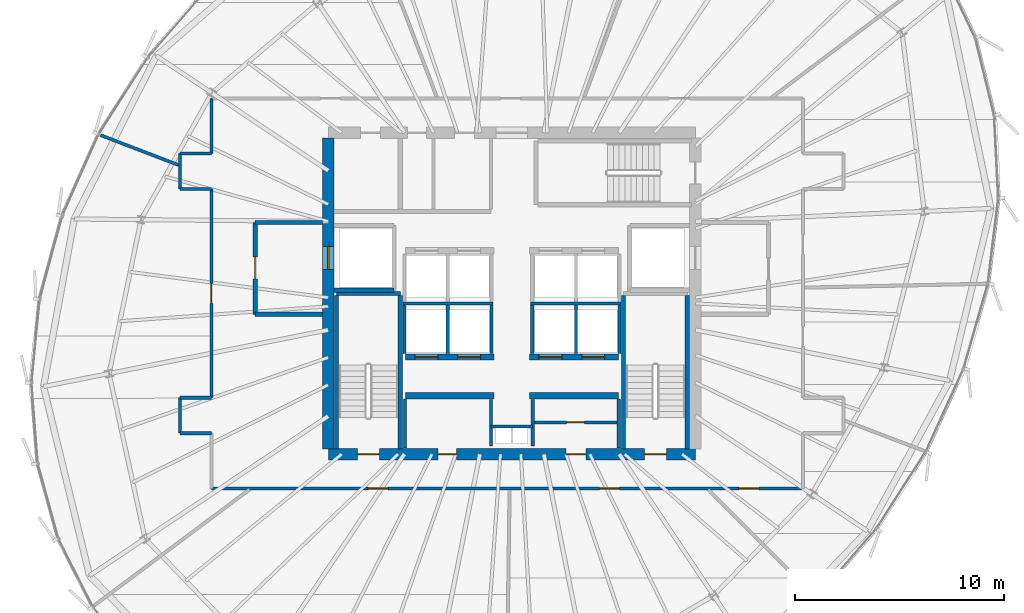
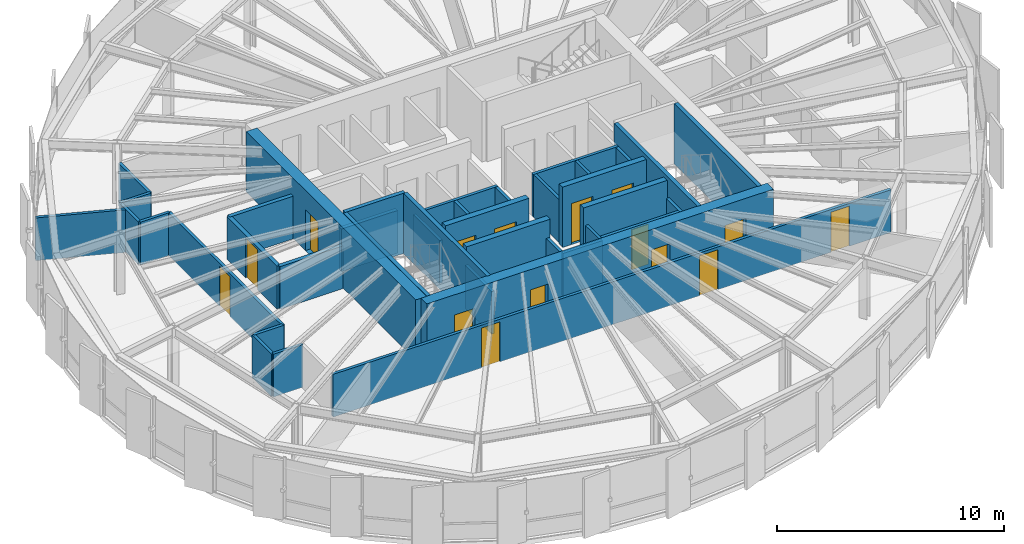
# One storey, part 29 of 34: 39 walls, 15 doors, 15 openings.
"""IFC4 building model written with IfcOpenShell, lengths in metres."""

from ifc_helpers import new_model, si_unit, direction, frame, frame_2d, origin, place, context, subcontext, project, spatial, rectangle, extrude, source, transform, mapped, material, layer, layer_set, type_object, element, fill, save


model = new_model("IFC4")

# Units and contexts
model_context = context("Model", 3, precision=1e-05, world=origin(), true_north=direction((0.0, 1.0)))
body_context = subcontext(model_context, "Body", "Model", "MODEL_VIEW")
ifc_project = project(units=[si_unit("LENGTHUNIT", "METRE"), si_unit("AREAUNIT", "SQUARE_METRE"), si_unit("VOLUMEUNIT", "CUBIC_METRE"), si_unit("PLANEANGLEUNIT", "RADIAN"), si_unit("MASSUNIT", "GRAM", prefix="KILO"), si_unit("THERMODYNAMICTEMPERATUREUNIT", "KELVIN")], contexts=[model_context])

# Site, building, storey
site_placement = place(None, origin())
site = spatial("IfcSite", under=ifc_project, at=site_placement, CompositionType="ELEMENT")
building_placement = place(site_placement, origin())
building = spatial("IfcBuilding", under=site, at=building_placement, Name="Kethvar Cultural Tower", CompositionType="ELEMENT")
storey_placement = place(building_placement, frame((0.0, 0.0, 214.89990234375)))
storey = spatial("IfcBuildingStorey", under=building, at=storey_placement, Name="L56", CompositionType="ELEMENT", Elevation=214.89990234375)

# Wall, openings, doors
ifc_material_1 = material(Name="Concrete C60/75", Category="concrete")
ifc_layer_1 = layer(ifc_material_1, 0.550048828125, Name="Concrete C60/75", Category="concrete")
ifc_layer_set_1 = layer_set([ifc_layer_1], Name="Concrete C60/75 (550 mm)")
wall_type_1 = type_object("IfcWallType", Name="WL-CORE-550", PredefinedType="SHEAR", material=ifc_layer_set_1)
wall_1_placement = place(storey_placement, frame((38.0, 20.10009765625, 0.0), z_axis=(0.0, 0.0, 1.0), x_axis=(1.0, 0.0, 0.0)))
wall_1 = element("IfcWall", 1, at=wall_1_placement, inside=storey, type_object=wall_type_1, Name="L56 Core Shear Wall S", PredefinedType="SHEAR", context=body_context, shape_type="SweptSolid", body=[
    extrude(rectangle(XDim=17.60009765625, YDim=0.550048828125, at=frame_2d((8.800048828125, 0.0))), origin(), (0.0, 0.0, 1.0), 3.239990234375),
])
opening_1_placement = place(wall_1_placement, frame((1.39990234375, 0.0, 0.0)))
opening_1 = element("IfcOpeningElement", 2, at=opening_1_placement, cuts=wall_1, Name="Opening D-L56-S1", PredefinedType="OPENING", context=body_context, shape_type="SweptSolid", body=[
    extrude(rectangle(XDim=1.050048828125, YDim=2.14990234375, at=frame_2d((0.52490234375, 1.074951171875))), frame((0.0, 0.284912109375, 0.0), z_axis=(0.0, -1.0, 0.0), x_axis=(1.0, 0.0, 0.0)), (0.0, 0.0, 1.0), 0.570068359375),
])
opening_2_placement = place(wall_1_placement, frame((15.14990234375, 0.0, 0.0)))
opening_2 = element("IfcOpeningElement", 3, at=opening_2_placement, cuts=wall_1, Name="Opening D-L56-ST2", PredefinedType="OPENING", context=body_context, shape_type="SweptSolid", body=[
    extrude(rectangle(XDim=1.050048828125, YDim=2.14990234375, at=frame_2d((0.52490234375, 1.074951171875))), frame((0.0, 0.284912109375, 0.0), z_axis=(0.0, -1.0, 0.0), x_axis=(1.0, 0.0, 0.0)), (0.0, 0.0, 1.0), 0.570068359375),
])
opening_3_placement = place(wall_1_placement, frame((5.25, 0.0, 0.0)))
opening_3 = element("IfcOpeningElement", 4, at=opening_3_placement, cuts=wall_1, Name="Opening D-L56-V1", PredefinedType="OPENING", context=body_context, shape_type="SweptSolid", body=[
    extrude(rectangle(XDim=0.89990234375, YDim=2.14990234375, at=frame_2d((0.449951171875, 1.074951171875))), frame((0.0, 0.284912109375, 0.0), z_axis=(0.0, -1.0, 0.0), x_axis=(1.0, 0.0, 0.0)), (0.0, 0.0, 1.0), 0.570068359375),
])
opening_4_placement = place(wall_1_placement, frame((11.39990234375, 0.0, 0.0)))
opening_4 = element("IfcOpeningElement", 5, at=opening_4_placement, cuts=wall_1, Name="Opening D-L56-V2", PredefinedType="OPENING", context=body_context, shape_type="SweptSolid", body=[
    extrude(rectangle(XDim=0.949951171875, YDim=2.14990234375, at=frame_2d((0.47509765625, 1.074951171875))), frame((0.0, 0.284912109375, 0.0), z_axis=(0.0, -1.0, 0.0), x_axis=(1.0, 0.0, 0.0)), (0.0, 0.0, 1.0), 0.570068359375),
])
ifc_material_2 = material(Name="Steel S355J2", Category="steel")
door_type_1 = type_object("IfcDoorType", Name="DR-FD60-1050", OperationType="NOTDEFINED", PredefinedType="DOOR", material=ifc_material_2)
shared_shape_1 = source(origin(), body_context, "Body", "SweptSolid", [
    extrude(rectangle(XDim=1.050048828125, YDim=2.14990234375, at=frame_2d((0.52490234375, 1.074951171875))), frame((0.0, 0.02490234375, 0.0), z_axis=(0.0, -1.0, 0.0), x_axis=(1.0, 0.0, 0.0)), (0.0, 0.0, 1.0), 0.050048828125),
])
door_1_placement = place(opening_1_placement, origin())
door_1 = element("IfcDoor", 6, at=door_1_placement, inside=storey, type_object=door_type_1, Name="L56 Exit Stair 1 Door", OperationType="SINGLE_SWING_LEFT", OverallHeight=2.14990234375, OverallWidth=1.050048828125, PredefinedType="DOOR", context=body_context, shape_type="MappedRepresentation", body=[
    mapped(shared_shape_1, transform((0.0, 0.0, 0.0), scale=1.0)),
])
fill(opening_1, door_1)
door_2_placement = place(opening_2_placement, origin())
door_2 = element("IfcDoor", 7, at=door_2_placement, inside=storey, type_object=door_type_1, Name="L56 Exit Stair 2 Door", OperationType="SINGLE_SWING_RIGHT", OverallHeight=2.14990234375, OverallWidth=1.050048828125, PredefinedType="DOOR", context=body_context, shape_type="MappedRepresentation", body=[
    mapped(shared_shape_1, transform((0.0, 0.0, 0.0), scale=1.0)),
])
fill(opening_2, door_2)
ifc_material_3 = material(Name="Architectural Oak Timber", Category="wood")
door_type_2 = type_object("IfcDoorType", Name="DR-FD30-950", OperationType="NOTDEFINED", PredefinedType="DOOR", material=ifc_material_3)
shared_shape_2 = source(origin(), body_context, "Body", "SweptSolid", [
    extrude(rectangle(XDim=0.949951171875, YDim=2.14990234375, at=frame_2d((0.47509765625, 1.074951171875))), frame((0.0, 0.02490234375, 0.0), z_axis=(0.0, -1.0, 0.0), x_axis=(1.0, 0.0, 0.0)), (0.0, 0.0, 1.0), 0.050048828125),
])
door_3_placement = place(opening_4_placement, origin())
door_3 = element("IfcDoor", 8, at=door_3_placement, inside=storey, type_object=door_type_2, Name="L56 Bindery Supply Door", OperationType="SINGLE_SWING_RIGHT", OverallHeight=2.14990234375, OverallWidth=0.949951171875, PredefinedType="DOOR", context=body_context, shape_type="MappedRepresentation", body=[
    mapped(shared_shape_2, transform((0.0, 0.0, 0.0), scale=1.0)),
])
fill(opening_4, door_3)
door_type_3 = type_object("IfcDoorType", Name="DR-FD30-900", OperationType="NOTDEFINED", PredefinedType="DOOR", material=ifc_material_3)
shared_shape_3 = source(origin(), body_context, "Body", "SweptSolid", [
    extrude(rectangle(XDim=0.89990234375, YDim=2.14990234375, at=frame_2d((0.449951171875, 1.074951171875))), frame((0.0, 0.02490234375, 0.0), z_axis=(0.0, -1.0, 0.0), x_axis=(1.0, 0.0, 0.0)), (0.0, 0.0, 1.0), 0.050048828125),
])
door_4_placement = place(opening_3_placement, origin())
door_4 = element("IfcDoor", 9, at=door_4_placement, inside=storey, type_object=door_type_3, Name="L56 Folio Vault Door", OperationType="SINGLE_SWING_LEFT", OverallHeight=2.14990234375, OverallWidth=0.89990234375, PredefinedType="DOOR", context=body_context, shape_type="MappedRepresentation", body=[
    mapped(shared_shape_3, transform((0.0, 0.0, 0.0), scale=1.0)),
])
fill(opening_3, door_4)

# Wall, opening, door
wall_2_placement = place(storey_placement, frame((38.0, 35.260009765625, 0.0), z_axis=(0.0, 0.0, 1.0), x_axis=(0.0, -1.0, 0.0)))
wall_2 = element("IfcWall", 10, at=wall_2_placement, inside=storey, type_object=wall_type_1, Name="L56 Core Shear Wall W", PredefinedType="SHEAR", context=body_context, shape_type="SweptSolid", body=[
    extrude(rectangle(XDim=14.919921875, YDim=0.550048828125, at=frame_2d((7.4599609375, 0.0))), origin(), (0.0, 0.0, 1.0), 3.239990234375),
])
opening_5_placement = place(wall_2_placement, frame((5.2099609375, 0.0, 0.0)))
opening_5 = element("IfcOpeningElement", 11, at=opening_5_placement, cuts=wall_2, Name="Opening LD-1", PredefinedType="OPENING", context=body_context, shape_type="SweptSolid", body=[
    extrude(rectangle(XDim=1.10009765625, YDim=2.199951171875, at=frame_2d((0.550048828125, 1.10009765625))), frame((0.0, 0.284912109375, 0.0), z_axis=(0.0, -1.0, 0.0), x_axis=(1.0, 0.0, 0.0)), (0.0, 0.0, 1.0), 0.570068359375),
])
door_type_4 = type_object("IfcDoorType", Name="DR-LIFT-SLIDE-1100", OperationType="NOTDEFINED", PredefinedType="DOOR", material=ifc_material_2)
shared_shape_4 = source(origin(), body_context, "Body", "SweptSolid", [
    extrude(rectangle(XDim=1.10009765625, YDim=2.199951171875, at=frame_2d((0.550048828125, 1.10009765625))), frame((0.0, 0.02490234375, 0.0), z_axis=(0.0, -1.0, 0.0), x_axis=(1.0, 0.0, 0.0)), (0.0, 0.0, 1.0), 0.050048828125),
])
door_5_placement = place(opening_5_placement, origin())
door_5 = element("IfcDoor", 12, at=door_5_placement, inside=storey, type_object=door_type_4, Name="L56 Firefighting Lift Landing Door FFL-01", OperationType="SLIDING_TO_LEFT", OverallHeight=2.199951171875, OverallWidth=1.10009765625, PredefinedType="DOOR", context=body_context, shape_type="MappedRepresentation", body=[
    mapped(shared_shape_4, transform((0.0, 0.0, 0.0), scale=1.0)),
])
fill(opening_5, door_5)

# Walls
ifc_material_4 = material(Name="Gypsum Fireboard Partition")
ifc_layer_2 = layer(ifc_material_4, 0.14990234375, Name="Gypsum Fireboard Partition")
ifc_layer_set_2 = layer_set([ifc_layer_2], Name="Gypsum Fireboard Partition (150 mm)")
wall_type_2 = type_object("IfcWallType", Name="WL-FIRE-150", PredefinedType="PARTITIONING", material=ifc_layer_set_2)
wall_3_placement = place(storey_placement, frame((45.800048828125, 21.419921875, 0.0), z_axis=(0.0, 0.0, 1.0), x_axis=(1.0, 0.0, 0.0)))
element("IfcWall", 13, at=wall_3_placement, inside=storey, type_object=wall_type_2, Name="L56 Core Riser Wall", PredefinedType="PARTITIONING", context=body_context, shape_type="SweptSolid", body=[
    extrude(rectangle(XDim=2.0, YDim=0.14990234375, at=frame_2d((1.0, 0.0))), origin(), (0.0, 0.0, 1.0), 2.295166015625),
])
for number, where, z_axis, x_axis, name in (
    (14, (45.800048828125, 20.47998046875, 0.0), (0.0, 0.0, 1.0), (0.0, 1.0, 0.0), "L56 Core Riser West Wall"),
    (15, (47.800048828125, 20.47998046875, 0.0), (0.0, 0.0, 1.0), (0.0, 1.0, 0.0), "L56 Core Riser East Wall"),
):
    element("IfcWall", number, at=place(storey_placement, frame(where, z_axis=z_axis, x_axis=x_axis)), inside=storey, type_object=wall_type_2, Name=name, PredefinedType="PARTITIONING", context=body_context, shape_type="SweptSolid", body=[
        extrude(rectangle(XDim=2.239990234375, YDim=0.14990234375, at=frame_2d((1.1201171875, 0.0))), origin(), (0.0, 0.0, 1.0), 2.295166015625),
    ])
for number, where, z_axis, x_axis, name in (
    (16, (41.679931640625, 20.385009765625, 0.0), (0.0, 0.0, 1.0), (0.0, 1.0, 0.0), "L56 Reclaimed West Outer Wall"),
    (17, (51.919921875, 20.385009765625, 0.0), (0.0, 0.0, 1.0), (0.0, 1.0, 0.0), "L56 Reclaimed East Outer Wall"),
):
    element("IfcWall", number, at=place(storey_placement, frame(where, z_axis=z_axis, x_axis=x_axis)), inside=storey, type_object=wall_type_2, Name=name, PredefinedType="PARTITIONING", context=body_context, shape_type="SweptSolid", body=[
        extrude(rectangle(XDim=2.344970703125, YDim=0.14990234375, at=frame_2d((1.17236328125, 0.0))), origin(), (0.0, 0.0, 1.0), 2.295166015625),
    ])

# Wall, opening, door
wall_4_placement = place(storey_placement, frame((47.8798828125, 21.6201171875, 0.0), z_axis=(0.0, 0.0, 1.0), x_axis=(1.0, 0.0, 0.0)))
wall_4 = element("IfcWall", 18, at=wall_4_placement, inside=storey, type_object=wall_type_2, Name="L56 Pantry Gallery Wall E", PredefinedType="PARTITIONING", context=body_context, shape_type="SweptSolid", body=[
    extrude(rectangle(XDim=3.960205078125, YDim=0.14990234375, at=frame_2d((1.97998046875, 0.0))), origin(), (0.0, 0.0, 1.0), 2.295166015625),
])
opening_6_placement = place(wall_4_placement, frame((1.550048828125, 0.0, 0.0)))
opening_6 = element("IfcOpeningElement", 19, at=opening_6_placement, cuts=wall_4, Name="Opening D-L56-V3", PredefinedType="OPENING", context=body_context, shape_type="SweptSolid", body=[
    extrude(rectangle(XDim=0.85009765625, YDim=2.14990234375, at=frame_2d((0.425048828125, 1.074951171875))), frame((0.0, 0.0849609375, 0.0), z_axis=(0.0, -1.0, 0.0), x_axis=(1.0, 0.0, 0.0)), (0.0, 0.0, 1.0), 0.169921875),
])
door_type_5 = type_object("IfcDoorType", Name="DR-FD30-850", OperationType="NOTDEFINED", PredefinedType="DOOR", material=ifc_material_2)
shared_shape_5 = source(origin(), body_context, "Body", "SweptSolid", [
    extrude(rectangle(XDim=0.85009765625, YDim=2.14990234375, at=frame_2d((0.425048828125, 1.074951171875))), frame((0.0, 0.02490234375, 0.0), z_axis=(0.0, -1.0, 0.0), x_axis=(1.0, 0.0, 0.0)), (0.0, 0.0, 1.0), 0.050048828125),
])
door_6_placement = place(opening_6_placement, origin())
door_6 = element("IfcDoor", 20, at=door_6_placement, inside=storey, type_object=door_type_5, Name="L56 Inner Pantry Gallery Door", OperationType="SINGLE_SWING_RIGHT", OverallHeight=2.14990234375, OverallWidth=0.85009765625, PredefinedType="DOOR", context=body_context, shape_type="MappedRepresentation", body=[
    mapped(shared_shape_5, transform((0.0, 0.0, 0.0), scale=1.0)),
])
fill(opening_6, door_6)

# Walls
wall_5_placement = place(storey_placement, frame((41.580078125, 27.324951171875, 0.0), z_axis=(0.0, 0.0, 1.0), x_axis=(1.0, 0.0, 0.0)))
element("IfcWall", 21, at=wall_5_placement, inside=storey, type_object=wall_type_2, Name="L56 Mid-High Lift Shaft Back Wall W", PredefinedType="PARTITIONING", context=body_context, shape_type="SweptSolid", body=[
    extrude(rectangle(XDim=4.31982421875, YDim=0.14990234375, at=frame_2d((2.159912109375, 0.0))), origin(), (0.0, 0.0, 1.0), 2.295166015625),
])
wall_6_placement = place(storey_placement, frame((47.699951171875, 27.324951171875, 0.0), z_axis=(0.0, 0.0, 1.0), x_axis=(1.0, 0.0, 0.0)))
element("IfcWall", 22, at=wall_6_placement, inside=storey, type_object=wall_type_2, Name="L56 Mid-High Lift Shaft Back Wall E", PredefinedType="PARTITIONING", context=body_context, shape_type="SweptSolid", body=[
    extrude(rectangle(XDim=4.320068359375, YDim=0.14990234375, at=frame_2d((2.16015625, 0.0))), origin(), (0.0, 0.0, 1.0), 2.295166015625),
])
for number, where, z_axis, x_axis, name in (
    (23, (41.64990234375, 24.919921875, 0.0), (0.0, 0.0, 1.0), (0.0, 1.0, 0.0), "L56 Mid-Rise Lift Shaft Outer Wall W"),
    (24, (43.72509765625, 24.919921875, 0.0), (0.0, 0.0, 1.0), (0.0, 1.0, 0.0), "L56 Mid-Rise Lift Shaft Divider W"),
    (25, (45.824951171875, 24.919921875, 0.0), (0.0, 0.0, 1.0), (0.0, 1.0, 0.0), "L56 Mid-Rise Lift Shaft Concourse Wall W"),
    (26, (47.77490234375, 24.919921875, 0.0), (0.0, 0.0, 1.0), (0.0, 1.0, 0.0), "L56 Mid-Rise Lift Shaft Concourse Wall E"),
    (27, (49.875, 24.919921875, 0.0), (0.0, 0.0, 1.0), (0.0, 1.0, 0.0), "L56 Mid-Rise Lift Shaft Divider E"),
    (28, (51.949951171875, 24.919921875, 0.0), (0.0, 0.0, 1.0), (0.0, 1.0, 0.0), "L56 Mid-Rise Lift Shaft Outer Wall E"),
):
    element("IfcWall", number, at=place(storey_placement, frame(where, z_axis=z_axis, x_axis=x_axis)), inside=storey, type_object=wall_type_2, Name=name, PredefinedType="PARTITIONING", context=body_context, shape_type="SweptSolid", body=[
        extrude(rectangle(XDim=2.320068359375, YDim=0.14990234375, at=frame_2d((1.16015625, 0.0))), origin(), (0.0, 0.0, 1.0), 2.295166015625),
    ])

# Wall, openings, doors
wall_7_placement = place(storey_placement, frame((32.39990234375, 18.449951171875, 0.0), z_axis=(0.0, 0.0, 1.0), x_axis=(1.0, 0.0, 0.0)))
wall_7 = element("IfcWall", 29, at=wall_7_placement, inside=storey, type_object=wall_type_2, Name="L56 Corridor Rated Wall S", PredefinedType="PARTITIONING", context=body_context, shape_type="SweptSolid", body=[
    extrude(rectangle(XDim=28.35009765625, YDim=0.14990234375, at=frame_2d((14.175048828125, 0.0))), origin(), (0.0, 0.0, 1.0), 2.295166015625),
])
opening_7_placement = place(wall_7_placement, frame((7.521728515625, 0.0, 0.0)))
opening_7 = element("IfcOpeningElement", 30, at=opening_7_placement, cuts=wall_7, Name="Opening D-L56-01", PredefinedType="OPENING", context=body_context, shape_type="SweptSolid", body=[
    extrude(rectangle(XDim=0.949951171875, YDim=2.14990234375, at=frame_2d((0.47509765625, 1.074951171875))), frame((0.0, 0.0849609375, 0.0), z_axis=(0.0, -1.0, 0.0), x_axis=(1.0, 0.0, 0.0)), (0.0, 0.0, 1.0), 0.169921875),
])
opening_8_placement = place(wall_7_placement, frame((18.603515625, 0.0, 0.0)))
opening_8 = element("IfcOpeningElement", 31, at=opening_8_placement, cuts=wall_7, Name="Opening D-L56-02", PredefinedType="OPENING", context=body_context, shape_type="SweptSolid", body=[
    extrude(rectangle(XDim=0.949951171875, YDim=2.14990234375, at=frame_2d((0.47509765625, 1.074951171875))), frame((0.0, 0.0849609375, 0.0), z_axis=(0.0, -1.0, 0.0), x_axis=(1.0, 0.0, 0.0)), (0.0, 0.0, 1.0), 0.169921875),
])
opening_9_placement = place(wall_7_placement, frame((25.284912109375, 0.0, 0.0)))
opening_9 = element("IfcOpeningElement", 32, at=opening_9_placement, cuts=wall_7, Name="Opening D-L56-03", PredefinedType="OPENING", context=body_context, shape_type="SweptSolid", body=[
    extrude(rectangle(XDim=0.949951171875, YDim=2.14990234375, at=frame_2d((0.47509765625, 1.074951171875))), frame((0.0, 0.0849609375, 0.0), z_axis=(0.0, -1.0, 0.0), x_axis=(1.0, 0.0, 0.0)), (0.0, 0.0, 1.0), 0.169921875),
])
door_7_placement = place(opening_7_placement, origin())
door_7 = element("IfcDoor", 33, at=door_7_placement, inside=storey, type_object=door_type_2, Name="L56 Sky Lobby Concourse Foyer 01 Door", OperationType="SINGLE_SWING_LEFT", OverallHeight=2.14990234375, OverallWidth=0.949951171875, PredefinedType="DOOR", context=body_context, shape_type="MappedRepresentation", body=[
    mapped(shared_shape_2, transform((0.0, 0.0, 0.0), scale=1.0)),
])
fill(opening_7, door_7)
door_8_placement = place(opening_8_placement, origin())
door_8 = element("IfcDoor", 34, at=door_8_placement, inside=storey, type_object=door_type_2, Name="L56 Transfer Visitor Reception 02 Door", OperationType="SINGLE_SWING_RIGHT", OverallHeight=2.14990234375, OverallWidth=0.949951171875, PredefinedType="DOOR", context=body_context, shape_type="MappedRepresentation", body=[
    mapped(shared_shape_2, transform((0.0, 0.0, 0.0), scale=1.0)),
])
fill(opening_8, door_8)
door_9_placement = place(opening_9_placement, origin())
door_9 = element("IfcDoor", 35, at=door_9_placement, inside=storey, type_object=door_type_2, Name="L56 Founders' Reception 03 Door", OperationType="SINGLE_SWING_LEFT", OverallHeight=2.14990234375, OverallWidth=0.949951171875, PredefinedType="DOOR", context=body_context, shape_type="MappedRepresentation", body=[
    mapped(shared_shape_2, transform((0.0, 0.0, 0.0), scale=1.0)),
])
fill(opening_9, door_9)

# Walls
wall_8_placement = place(storey_placement, frame((32.39990234375, 37.14990234375, 0.0), z_axis=(0.0, 0.0, 1.0), x_axis=(0.0, -1.0, 0.0)))
element("IfcWall", 36, at=wall_8_placement, inside=storey, type_object=wall_type_2, Name="L56 Corridor Rated Wall W2", PredefinedType="PARTITIONING", context=body_context, shape_type="SweptSolid", body=[
    extrude(rectangle(XDim=2.64990234375, YDim=0.14990234375, at=frame_2d((1.324951171875, 0.0))), origin(), (0.0, 0.0, 1.0), 2.295166015625),
])
wall_9_placement = place(storey_placement, frame((32.39990234375, 34.5, 0.0), z_axis=(0.0, 0.0, 1.0), x_axis=(-1.0, 0.0, 0.0)))
element("IfcWall", 37, at=wall_9_placement, inside=storey, type_object=wall_type_2, Name="L56 Corridor Rated Wall WNT", PredefinedType="PARTITIONING", context=body_context, shape_type="SweptSolid", body=[
    extrude(rectangle(XDim=1.5, YDim=0.14990234375, at=frame_2d((0.75, 0.0))), origin(), (0.0, 0.0, 1.0), 2.295166015625),
])
wall_10_placement = place(storey_placement, frame((30.89990234375, 34.5, 0.0), z_axis=(0.0, 0.0, 1.0), x_axis=(0.0, -1.0, 0.0)))
element("IfcWall", 38, at=wall_10_placement, inside=storey, type_object=wall_type_2, Name="L56 Corridor Rated Wall WN", PredefinedType="PARTITIONING", context=body_context, shape_type="SweptSolid", body=[
    extrude(rectangle(XDim=1.699951171875, YDim=0.14990234375, at=frame_2d((0.85009765625, 0.0))), origin(), (0.0, 0.0, 1.0), 2.295166015625),
])
wall_11_placement = place(storey_placement, frame((30.89990234375, 32.800048828125, 0.0), z_axis=(0.0, 0.0, 1.0), x_axis=(1.0, 0.0, 0.0)))
element("IfcWall", 39, at=wall_11_placement, inside=storey, type_object=wall_type_2, Name="L56 Corridor Rated Wall WNB", PredefinedType="PARTITIONING", context=body_context, shape_type="SweptSolid", body=[
    extrude(rectangle(XDim=1.5, YDim=0.14990234375, at=frame_2d((0.75, 0.0))), origin(), (0.0, 0.0, 1.0), 2.295166015625),
])

# Wall, opening, door
wall_12_placement = place(storey_placement, frame((32.39990234375, 32.800048828125, 0.0), z_axis=(0.0, 0.0, 1.0), x_axis=(0.0, -1.0, 0.0)))
wall_12 = element("IfcWall", 40, at=wall_12_placement, inside=storey, type_object=wall_type_2, Name="L56 Corridor Rated Wall WM", PredefinedType="PARTITIONING", context=body_context, shape_type="SweptSolid", body=[
    extrude(rectangle(XDim=10.0, YDim=0.14990234375, at=frame_2d((5.0, 0.0))), origin(), (0.0, 0.0, 1.0), 2.295166015625),
])
opening_10_placement = place(wall_12_placement, frame((4.52490234375, 0.0, 0.0)))
opening_10 = element("IfcOpeningElement", 41, at=opening_10_placement, cuts=wall_12, Name="Opening D-L56-09", PredefinedType="OPENING", context=body_context, shape_type="SweptSolid", body=[
    extrude(rectangle(XDim=0.949951171875, YDim=2.14990234375, at=frame_2d((0.47509765625, 1.074951171875))), frame((0.0, 0.0849609375, 0.0), z_axis=(0.0, -1.0, 0.0), x_axis=(1.0, 0.0, 0.0)), (0.0, 0.0, 1.0), 0.169921875),
])
door_10_placement = place(opening_10_placement, origin())
door_10 = element("IfcDoor", 42, at=door_10_placement, inside=storey, type_object=door_type_2, Name="L56 Operations Control Room 09 Door", OperationType="SINGLE_SWING_LEFT", OverallHeight=2.14990234375, OverallWidth=0.949951171875, PredefinedType="DOOR", context=body_context, shape_type="MappedRepresentation", body=[
    mapped(shared_shape_2, transform((0.0, 0.0, 0.0), scale=1.0)),
])
fill(opening_10, door_10)

# Walls
wall_13_placement = place(storey_placement, frame((32.39990234375, 22.800048828125, 0.0), z_axis=(0.0, 0.0, 1.0), x_axis=(-1.0, 0.0, 0.0)))
element("IfcWall", 43, at=wall_13_placement, inside=storey, type_object=wall_type_2, Name="L56 Corridor Rated Wall WST", PredefinedType="PARTITIONING", context=body_context, shape_type="SweptSolid", body=[
    extrude(rectangle(XDim=1.5, YDim=0.14990234375, at=frame_2d((0.75, 0.0))), origin(), (0.0, 0.0, 1.0), 2.295166015625),
])
wall_14_placement = place(storey_placement, frame((30.89990234375, 22.800048828125, 0.0), z_axis=(0.0, 0.0, 1.0), x_axis=(0.0, -1.0, 0.0)))
element("IfcWall", 44, at=wall_14_placement, inside=storey, type_object=wall_type_2, Name="L56 Corridor Rated Wall WS", PredefinedType="PARTITIONING", context=body_context, shape_type="SweptSolid", body=[
    extrude(rectangle(XDim=1.699951171875, YDim=0.14990234375, at=frame_2d((0.85009765625, 0.0))), origin(), (0.0, 0.0, 1.0), 2.295166015625),
])
wall_15_placement = place(storey_placement, frame((30.89990234375, 21.10009765625, 0.0), z_axis=(0.0, 0.0, 1.0), x_axis=(1.0, 0.0, 0.0)))
element("IfcWall", 45, at=wall_15_placement, inside=storey, type_object=wall_type_2, Name="L56 Corridor Rated Wall WSB", PredefinedType="PARTITIONING", context=body_context, shape_type="SweptSolid", body=[
    extrude(rectangle(XDim=1.5, YDim=0.14990234375, at=frame_2d((0.75, 0.0))), origin(), (0.0, 0.0, 1.0), 2.295166015625),
])
ifc_material_5 = material(Name="Concrete C40/50", Category="concrete")
ifc_layer_3 = layer(ifc_material_5, 0.199951171875, Name="Concrete C40/50", Category="concrete")
ifc_layer_set_3 = layer_set([ifc_layer_3], Name="Concrete C40/50 (200 mm)")
wall_type_3 = type_object("IfcWallType", Name="WL-FIRE-200", PredefinedType="PARTITIONING", material=ifc_layer_set_3)
wall_16_placement = place(storey_placement, frame((38.284912109375, 27.949951171875, 0.0), z_axis=(0.0, 0.0, 1.0), x_axis=(1.0, 0.0, 0.0)))
element("IfcWall", 46, at=wall_16_placement, inside=storey, type_object=wall_type_3, Name="L56 FFL-01 Shaft South Wall", PredefinedType="PARTITIONING", context=body_context, shape_type="SweptSolid", body=[
    extrude(rectangle(XDim=2.864990234375, YDim=0.199951171875, at=frame_2d((1.4326171875, 0.0))), origin(), (0.0, 0.0, 1.0), 2.295166015625),
])

# Wall, opening, door
wall_17_placement = place(storey_placement, frame((34.5, 31.199951171875, 0.0), z_axis=(0.0, 0.0, 1.0), x_axis=(0.0, -1.0, 0.0)))
wall_17 = element("IfcWall", 47, at=wall_17_placement, inside=storey, type_object=wall_type_3, Name="L56 Firefighting Lobby 1 Wall", PredefinedType="PARTITIONING", context=body_context, shape_type="SweptSolid", body=[
    extrude(rectangle(XDim=4.39990234375, YDim=0.199951171875, at=frame_2d((2.199951171875, 0.0))), origin(), (0.0, 0.0, 1.0), 2.295166015625),
])
opening_11_placement = place(wall_17_placement, frame((1.64990234375, 0.0, 0.0)))
opening_11 = element("IfcOpeningElement", 48, at=opening_11_placement, cuts=wall_17, Name="Opening D-L56-F1", PredefinedType="OPENING", context=body_context, shape_type="SweptSolid", body=[
    extrude(rectangle(XDim=1.050048828125, YDim=2.14990234375, at=frame_2d((0.52490234375, 1.074951171875))), frame((0.0, 0.10986328125, 0.0), z_axis=(0.0, -1.0, 0.0), x_axis=(1.0, 0.0, 0.0)), (0.0, 0.0, 1.0), 0.219970703125),
])
door_11_placement = place(opening_11_placement, origin())
door_11 = element("IfcDoor", 49, at=door_11_placement, inside=storey, type_object=door_type_1, Name="L56 Firefighting Lobby 1 Fire Door", OperationType="SINGLE_SWING_LEFT", OverallHeight=2.14990234375, OverallWidth=1.050048828125, PredefinedType="DOOR", context=body_context, shape_type="MappedRepresentation", body=[
    mapped(shared_shape_1, transform((0.0, 0.0, 0.0), scale=1.0)),
])
fill(opening_11, door_11)

# Walls
for number, where, z_axis, x_axis, name in (
    (50, (34.5, 26.800048828125, 0.0), (0.0, 0.0, 1.0), (1.0, 0.0, 0.0), "L56 FF Lobby 1 South Wall"),
    (51, (34.5, 31.199951171875, 0.0), (0.0, 0.0, 1.0), (1.0, 0.0, 0.0), "L56 FF Lobby 1 North Wall"),
):
    element("IfcWall", number, at=place(storey_placement, frame(where, z_axis=z_axis, x_axis=x_axis)), inside=storey, type_object=wall_type_3, Name=name, PredefinedType="PARTITIONING", context=body_context, shape_type="SweptSolid", body=[
        extrude(rectangle(XDim=3.215087890625, YDim=0.199951171875, at=frame_2d((1.607421875, 0.0))), origin(), (0.0, 0.0, 1.0), 2.295166015625),
    ])
ifc_material_6 = material(Name="Gypsum Acoustic Partition")
ifc_layer_4 = layer(ifc_material_6, 0.14990234375, Name="Gypsum Acoustic Partition")
ifc_layer_set_4 = layer_set([ifc_layer_4], Name="Gypsum Acoustic Partition (150 mm)")
wall_type_4 = type_object("IfcWallType", Name="WL-PART-150", PredefinedType="PARTITIONING", material=ifc_layer_set_4)
wall_18_placement = place(storey_placement, frame((30.8251953125, 33.950927734375, 0.0), z_axis=(0.0, 0.0, 1.0), x_axis=(-0.933691058524, 0.358079610188, 0.0)))
element("IfcWall", 52, at=wall_18_placement, inside=storey, type_object=wall_type_4, Name="L56 Radial Partition Wall 09", PredefinedType="PARTITIONING", context=body_context, shape_type="SweptSolid", body=[
    extrude(rectangle(XDim=4.002197265625, YDim=0.14990234375, at=frame_2d((2.0009765625, 0.0))), origin(), (0.0, 0.0, 1.0), 2.295166015625),
])
ifc_material_7 = material(Name="Concrete C50/60", Category="concrete")
ifc_layer_5 = layer(ifc_material_7, 0.300048828125, Name="Concrete C50/60", Category="concrete")
ifc_layer_set_5 = layer_set([ifc_layer_5], Name="Concrete C50/60 (300 mm)")
wall_type_5 = type_object("IfcWallType", Name="WL-SHAFT-300", PredefinedType="SHEAR", material=ifc_layer_set_5)
for number, where, z_axis, x_axis, name in (
    (53, (41.699951171875, 22.89990234375, 0.0), (0.0, 0.0, 1.0), (1.0, 0.0, 0.0), "L56 Core Lift Spine Wall MID1W"),
    (54, (47.64990234375, 22.89990234375, 0.0), (0.0, 0.0, 1.0), (1.0, 0.0, 0.0), "L56 Core Lift Spine Wall MID1E"),
):
    element("IfcWall", number, at=place(storey_placement, frame(where, z_axis=z_axis, x_axis=x_axis)), inside=storey, type_object=wall_type_5, Name=name, PredefinedType="SHEAR", context=body_context, shape_type="SweptSolid", body=[
        extrude(rectangle(XDim=4.25, YDim=0.300048828125, at=frame_2d((2.125, 0.0))), origin(), (0.0, 0.0, 1.0), 3.239990234375),
    ])

# Wall, openings, doors
wall_19_placement = place(storey_placement, frame((41.699951171875, 24.75, 0.0), z_axis=(0.0, 0.0, 1.0), x_axis=(1.0, 0.0, 0.0)))
wall_19 = element("IfcWall", 55, at=wall_19_placement, inside=storey, type_object=wall_type_5, Name="L56 Core Lift Spine Wall MID2W", PredefinedType="SHEAR", context=body_context, shape_type="SweptSolid", body=[
    extrude(rectangle(XDim=4.25, YDim=0.300048828125, at=frame_2d((2.125, 0.0))), origin(), (0.0, 0.0, 1.0), 3.239990234375),
])
opening_12_placement = place(wall_19_placement, frame((0.449951171875, 0.0, 0.0)))
opening_12 = element("IfcOpeningElement", 56, at=opening_12_placement, cuts=wall_19, Name="Opening LD-M1", PredefinedType="OPENING", context=body_context, shape_type="SweptSolid", body=[
    extrude(rectangle(XDim=1.10009765625, YDim=2.199951171875, at=frame_2d((0.550048828125, 1.10009765625))), frame((0.0, 0.159912109375, 0.0), z_axis=(0.0, -1.0, 0.0), x_axis=(1.0, 0.0, 0.0)), (0.0, 0.0, 1.0), 0.320068359375),
])
opening_13_placement = place(wall_19_placement, frame((2.5, 0.0, 0.0)))
opening_13 = element("IfcOpeningElement", 57, at=opening_13_placement, cuts=wall_19, Name="Opening LD-M2", PredefinedType="OPENING", context=body_context, shape_type="SweptSolid", body=[
    extrude(rectangle(XDim=1.10009765625, YDim=2.199951171875, at=frame_2d((0.550048828125, 1.10009765625))), frame((0.0, 0.159912109375, 0.0), z_axis=(0.0, -1.0, 0.0), x_axis=(1.0, 0.0, 0.0)), (0.0, 0.0, 1.0), 0.320068359375),
])
door_12_placement = place(opening_12_placement, origin())
door_12 = element("IfcDoor", 58, at=door_12_placement, inside=storey, type_object=door_type_4, Name="L56 Mid-Rise Lift Landing Door M1", OperationType="SLIDING_TO_RIGHT", OverallHeight=2.199951171875, OverallWidth=1.10009765625, PredefinedType="DOOR", context=body_context, shape_type="MappedRepresentation", body=[
    mapped(shared_shape_4, transform((0.0, 0.0, 0.0), scale=1.0)),
])
fill(opening_12, door_12)
door_13_placement = place(opening_13_placement, origin())
door_13 = element("IfcDoor", 59, at=door_13_placement, inside=storey, type_object=door_type_4, Name="L56 Mid-Rise Lift Landing Door M2", OperationType="SLIDING_TO_RIGHT", OverallHeight=2.199951171875, OverallWidth=1.10009765625, PredefinedType="DOOR", context=body_context, shape_type="MappedRepresentation", body=[
    mapped(shared_shape_4, transform((0.0, 0.0, 0.0), scale=1.0)),
])
fill(opening_13, door_13)

wall_20_placement = place(storey_placement, frame((47.64990234375, 24.75, 0.0), z_axis=(0.0, 0.0, 1.0), x_axis=(1.0, 0.0, 0.0)))
wall_20 = element("IfcWall", 60, at=wall_20_placement, inside=storey, type_object=wall_type_5, Name="L56 Core Lift Spine Wall MID2E", PredefinedType="SHEAR", context=body_context, shape_type="SweptSolid", body=[
    extrude(rectangle(XDim=4.25, YDim=0.300048828125, at=frame_2d((2.125, 0.0))), origin(), (0.0, 0.0, 1.0), 3.239990234375),
])
opening_14_placement = place(wall_20_placement, frame((0.449951171875, 0.0, 0.0)))
opening_14 = element("IfcOpeningElement", 61, at=opening_14_placement, cuts=wall_20, Name="Opening LD-M3", PredefinedType="OPENING", context=body_context, shape_type="SweptSolid", body=[
    extrude(rectangle(XDim=1.10009765625, YDim=2.199951171875, at=frame_2d((0.550048828125, 1.10009765625))), frame((0.0, 0.159912109375, 0.0), z_axis=(0.0, -1.0, 0.0), x_axis=(1.0, 0.0, 0.0)), (0.0, 0.0, 1.0), 0.320068359375),
])
opening_15_placement = place(wall_20_placement, frame((2.5, 0.0, 0.0)))
opening_15 = element("IfcOpeningElement", 62, at=opening_15_placement, cuts=wall_20, Name="Opening LD-M4", PredefinedType="OPENING", context=body_context, shape_type="SweptSolid", body=[
    extrude(rectangle(XDim=1.10009765625, YDim=2.199951171875, at=frame_2d((0.550048828125, 1.10009765625))), frame((0.0, 0.159912109375, 0.0), z_axis=(0.0, -1.0, 0.0), x_axis=(1.0, 0.0, 0.0)), (0.0, 0.0, 1.0), 0.320068359375),
])
door_14_placement = place(opening_14_placement, origin())
door_14 = element("IfcDoor", 63, at=door_14_placement, inside=storey, type_object=door_type_4, Name="L56 Mid-Rise Lift Landing Door M3", OperationType="SLIDING_TO_RIGHT", OverallHeight=2.199951171875, OverallWidth=1.10009765625, PredefinedType="DOOR", context=body_context, shape_type="MappedRepresentation", body=[
    mapped(shared_shape_4, transform((0.0, 0.0, 0.0), scale=1.0)),
])
fill(opening_14, door_14)
door_15_placement = place(opening_15_placement, origin())
door_15 = element("IfcDoor", 64, at=door_15_placement, inside=storey, type_object=door_type_4, Name="L56 Mid-Rise Lift Landing Door M4", OperationType="SLIDING_TO_RIGHT", OverallHeight=2.199951171875, OverallWidth=1.10009765625, PredefinedType="DOOR", context=body_context, shape_type="MappedRepresentation", body=[
    mapped(shared_shape_4, transform((0.0, 0.0, 0.0), scale=1.0)),
])
fill(opening_15, door_15)

# Walls
ifc_layer_6 = layer(ifc_material_7, 0.199951171875, Name="Concrete C50/60", Category="concrete")
ifc_layer_set_6 = layer_set([ifc_layer_6], Name="Concrete C50/60 (200 mm)")
wall_type_6 = type_object("IfcWallType", Name="WL-STSHAFT-200", PredefinedType="SHEAR", material=ifc_layer_set_6)
wall_21_placement = place(storey_placement, frame((38.389892578125, 27.800048828125, 0.0), z_axis=(0.0, 0.0, 1.0), x_axis=(1.0, 0.0, 0.0)))
element("IfcWall", 65, at=wall_21_placement, inside=storey, type_object=wall_type_6, Name="L56 ST-01 Stair Shaft Wall FAR", PredefinedType="SHEAR", context=body_context, shape_type="SweptSolid", body=[
    extrude(rectangle(XDim=3.06005859375, YDim=0.199951171875, at=frame_2d((1.530029296875, 0.0))), origin(), (0.0, 0.0, 1.0), 3.239990234375),
])
for number, where, z_axis, x_axis, name in (
    (66, (41.449951171875, 27.699951171875, 0.0), (0.0, 0.0, 1.0), (0.0, -1.0, 0.0), "L56 ST-01 Stair Shaft Wall LEFT"),
    (67, (38.389892578125, 20.35009765625, 0.0), (0.0, 0.0, 1.0), (0.0, 1.0, 0.0), "L56 ST-01 Stair Shaft Wall RIGHT"),
    (68, (55.2099609375, 27.699951171875, 0.0), (0.0, 0.0, 1.0), (0.0, -1.0, 0.0), "L56 ST-02 Stair Shaft Wall LEFT"),
    (69, (52.14990234375, 20.35009765625, 0.0), (0.0, 0.0, 1.0), (0.0, 1.0, 0.0), "L56 ST-02 Stair Shaft Wall RIGHT"),
):
    element("IfcWall", number, at=place(storey_placement, frame(where, z_axis=z_axis, x_axis=x_axis)), inside=storey, type_object=wall_type_6, Name=name, PredefinedType="SHEAR", context=body_context, shape_type="SweptSolid", body=[
        extrude(rectangle(XDim=7.349853515625, YDim=0.199951171875, at=frame_2d((3.6748046875, 0.0))), origin(), (0.0, 0.0, 1.0), 3.239990234375),
    ])

save(model, "model.ifc")
